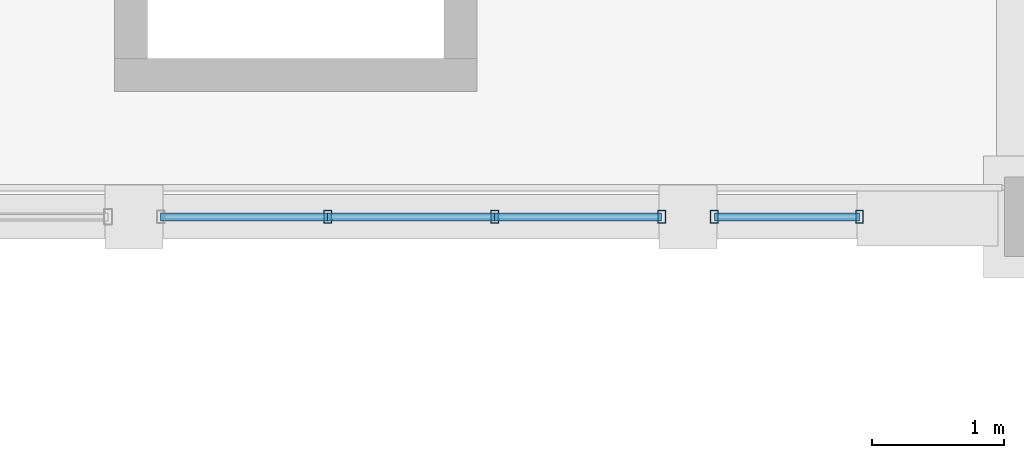
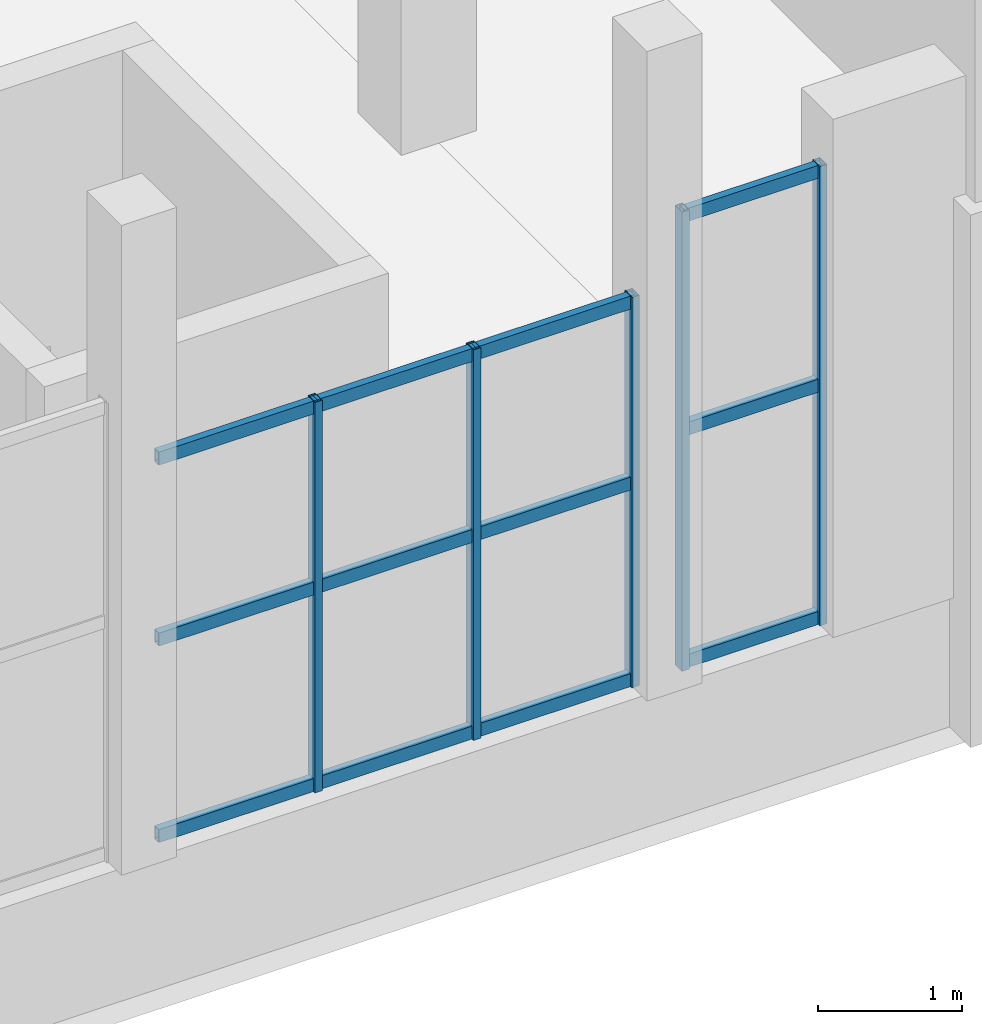
# One storey, part 3 of 46: 17 members, 2 elements without a shape of their own.
"""IFC4 building model written with IfcOpenShell, lengths in metres."""

from ifc_helpers import new_model, si_unit, direction, frame, origin, origin_2d, place, context, subcontext, project, spatial, hollow_rectangle, extrude, material, material_profile, profile_set, type_object, element, aggregate, save


model = new_model("IFC4")

# Units and contexts
model_context = context("Model", 3, precision=1e-05, world=origin(), true_north=direction((0.0, 1.0)))
body_context = subcontext(model_context, "Body", "Model", "MODEL_VIEW")
ifc_project = project(units=[si_unit("LENGTHUNIT", "METRE"), si_unit("AREAUNIT", "SQUARE_METRE"), si_unit("VOLUMEUNIT", "CUBIC_METRE"), si_unit("PLANEANGLEUNIT", "RADIAN"), si_unit("MASSUNIT", "GRAM", prefix="KILO")], contexts=[model_context])

# Site, building, storey
site_placement = place(None, origin())
site = spatial("IfcSite", under=ifc_project, at=site_placement, CompositionType="ELEMENT")
building_placement = place(site_placement, origin())
building = spatial("IfcBuilding", under=site, at=building_placement, Name="Mavantir Sound Aquarium", CompositionType="ELEMENT")
storey_placement = place(building_placement, frame((0.0, 0.0, 15.300048828125)))
storey = spatial("IfcBuildingStorey", under=building, at=storey_placement, Name="L03", CompositionType="ELEMENT", Elevation=15.300048828125)

# Curtain wall, members
ifc_material_1 = material(Name="Anodised Marine Aluminium and Low-E Glass", Category="aluminium")
curtain_wall_type_1 = type_object("IfcCurtainWallType", Name="CW-T04", PredefinedType="USERDEFINED", material=ifc_material_1)
curtain_wall_1_placement = place(storey_placement, origin())
curtain_wall_1 = element("IfcCurtainWall", 1, at=curtain_wall_1_placement, inside=storey, type_object=curtain_wall_type_1, Name="L03 unitised curtain wall CW-04 147", ObjectType="UNITISED GLAZING", PredefinedType="USERDEFINED")
ifc_material_2 = material(Name="Anodised Marine Aluminium 6063-T6", Category="aluminium")
ifc_material_profile_1 = material_profile(ifc_material_2, hollow_rectangle(XDim=0.06005859375, YDim=0.10009765625, WallThickness=0.00390625, at=origin_2d()), Name="ALU-MULLION-100X60")
ifc_profile_set_1 = profile_set([ifc_material_profile_1], Name="Anodised Marine Aluminium 6063-T6")
member_type_1 = type_object("IfcMemberType", Name="CW-MUL-100", PredefinedType="MULLION", material=ifc_profile_set_1)
member_1_placement = place(storey_placement, frame((121.7666015625, 40.800048828125, 1.119873046875), z_axis=(0.0, 0.0, 1.0), x_axis=(1.0, 0.0, 0.0)))
member_1 = element("IfcMember", 2, at=member_1_placement, type_object=member_type_1, Name="CW-DIOC-2S-C vertical mullion 2", PredefinedType="MULLION", context=body_context, shape_type="SweptSolid", body=[
    extrude(hollow_rectangle(XDim=0.06005859375, YDim=0.10009765625, WallThickness=0.00390625, at=origin_2d()), origin(), (0.0, 0.0, 1.0), 3.300048828125),
])
member_2_placement = place(storey_placement, frame((123.033203125, 40.800048828125, 1.119873046875), z_axis=(0.0, 0.0, 1.0), x_axis=(1.0, 0.0, 0.0)))
member_2 = element("IfcMember", 3, at=member_2_placement, type_object=member_type_1, Name="CW-DIOC-2S-C vertical mullion 3", PredefinedType="MULLION", context=body_context, shape_type="SweptSolid", body=[
    extrude(hollow_rectangle(XDim=0.06005859375, YDim=0.10009765625, WallThickness=0.00390625, at=origin_2d()), origin(), (0.0, 0.0, 1.0), 3.300048828125),
])
member_3_placement = place(storey_placement, frame((124.300048828125, 40.800048828125, 1.119873046875), z_axis=(0.0, 0.0, 1.0), x_axis=(1.0, 0.0, 0.0)))
member_3 = element("IfcMember", 4, at=member_3_placement, type_object=member_type_1, Name="CW-DIOC-2S-C vertical mullion 4", PredefinedType="MULLION", context=body_context, shape_type="SweptSolid", body=[
    extrude(hollow_rectangle(XDim=0.06005859375, YDim=0.10009765625, WallThickness=0.00390625, at=origin_2d()), origin(), (0.0, 0.0, 1.0), 3.300048828125),
])

curtain_wall_type_2 = type_object("IfcCurtainWallType", Name="CW-T06", PredefinedType="USERDEFINED", material=ifc_material_1)
curtain_wall_2_placement = place(storey_placement, origin())
curtain_wall_2 = element("IfcCurtainWall", 5, at=curtain_wall_2_placement, inside=storey, type_object=curtain_wall_type_2, Name="L03 unitised curtain wall CW-06 149", ObjectType="UNITISED GLAZING", PredefinedType="USERDEFINED")
member_4_placement = place(storey_placement, frame((124.699951171875, 40.800048828125, 1.119873046875), z_axis=(0.0, 0.0, 1.0), x_axis=(1.0, 0.0, 0.0)))
member_4 = element("IfcMember", 6, at=member_4_placement, type_object=member_type_1, Name="CW-DIOC-2S-R vertical mullion 1", PredefinedType="MULLION", context=body_context, shape_type="SweptSolid", body=[
    extrude(hollow_rectangle(XDim=0.06005859375, YDim=0.10009765625, WallThickness=0.00390625, at=origin_2d()), origin(), (0.0, 0.0, 1.0), 3.880126953125),
])
member_5_placement = place(storey_placement, frame((125.800048828125, 40.800048828125, 1.119873046875), z_axis=(0.0, 0.0, 1.0), x_axis=(1.0, 0.0, 0.0)))
member_5 = element("IfcMember", 7, at=member_5_placement, type_object=member_type_1, Name="CW-DIOC-2S-R vertical mullion 2", PredefinedType="MULLION", context=body_context, shape_type="SweptSolid", body=[
    extrude(hollow_rectangle(XDim=0.06005859375, YDim=0.10009765625, WallThickness=0.00390625, at=origin_2d()), origin(), (0.0, 0.0, 1.0), 3.880126953125),
])

# Member
ifc_material_profile_2 = material_profile(ifc_material_2, hollow_rectangle(XDim=0.06005859375, YDim=0.110107421875, WallThickness=0.00390625, at=origin_2d()), Name="ALU-TRANSOM-110X60")
ifc_profile_set_2 = profile_set([ifc_material_profile_2], Name="Anodised Marine Aluminium 6063-T6")
member_type_2 = type_object("IfcMemberType", Name="CW-TRN-110", PredefinedType="USERDEFINED", material=ifc_profile_set_2)
member_6_placement = place(storey_placement, frame((120.5, 40.800048828125, 1.175048828125), z_axis=(1.0, 0.0, 0.0), x_axis=(0.0, 1.0, 0.0)))
member_6 = element("IfcMember", 8, at=member_6_placement, type_object=member_type_2, Name="CW-DIOC-2S-C transom 1.1", ObjectType="TRANSOM", PredefinedType="USERDEFINED", context=body_context, shape_type="SweptSolid", body=[
    extrude(hollow_rectangle(XDim=0.06005859375, YDim=0.110107421875, WallThickness=0.00390625, at=origin_2d()), origin(), (0.0, 0.0, 1.0), 1.2666015625),
])

member_7_placement = place(storey_placement, frame((120.5, 40.800048828125, 2.8359375), z_axis=(1.0, 0.0, 0.0), x_axis=(0.0, 1.0, 0.0)))
member_7 = element("IfcMember", 9, at=member_7_placement, type_object=member_type_2, Name="CW-DIOC-2S-C transom 1.2", ObjectType="TRANSOM", PredefinedType="USERDEFINED", context=body_context, shape_type="SweptSolid", body=[
    extrude(hollow_rectangle(XDim=0.06005859375, YDim=0.110107421875, WallThickness=0.00390625, at=origin_2d()), origin(), (0.0, 0.0, 1.0), 1.2666015625),
])

member_8_placement = place(storey_placement, frame((120.5, 40.800048828125, 4.364990234375), z_axis=(1.0, 0.0, 0.0), x_axis=(0.0, 1.0, 0.0)))
member_8 = element("IfcMember", 10, at=member_8_placement, type_object=member_type_2, Name="CW-DIOC-2S-C transom 1.3", ObjectType="TRANSOM", PredefinedType="USERDEFINED", context=body_context, shape_type="SweptSolid", body=[
    extrude(hollow_rectangle(XDim=0.06005859375, YDim=0.110107421875, WallThickness=0.00390625, at=origin_2d()), origin(), (0.0, 0.0, 1.0), 1.2666015625),
])

member_9_placement = place(storey_placement, frame((121.7666015625, 40.800048828125, 1.175048828125), z_axis=(1.0, 0.0, 0.0), x_axis=(0.0, 1.0, 0.0)))
member_9 = element("IfcMember", 11, at=member_9_placement, type_object=member_type_2, Name="CW-DIOC-2S-C transom 2.1", ObjectType="TRANSOM", PredefinedType="USERDEFINED", context=body_context, shape_type="SweptSolid", body=[
    extrude(hollow_rectangle(XDim=0.06005859375, YDim=0.110107421875, WallThickness=0.00390625, at=origin_2d()), origin(), (0.0, 0.0, 1.0), 1.2666015625),
])

member_10_placement = place(storey_placement, frame((121.7666015625, 40.800048828125, 2.8359375), z_axis=(1.0, 0.0, 0.0), x_axis=(0.0, 1.0, 0.0)))
member_10 = element("IfcMember", 12, at=member_10_placement, type_object=member_type_2, Name="CW-DIOC-2S-C transom 2.2", ObjectType="TRANSOM", PredefinedType="USERDEFINED", context=body_context, shape_type="SweptSolid", body=[
    extrude(hollow_rectangle(XDim=0.06005859375, YDim=0.110107421875, WallThickness=0.00390625, at=origin_2d()), origin(), (0.0, 0.0, 1.0), 1.2666015625),
])

member_11_placement = place(storey_placement, frame((121.7666015625, 40.800048828125, 4.364990234375), z_axis=(1.0, 0.0, 0.0), x_axis=(0.0, 1.0, 0.0)))
member_11 = element("IfcMember", 13, at=member_11_placement, type_object=member_type_2, Name="CW-DIOC-2S-C transom 2.3", ObjectType="TRANSOM", PredefinedType="USERDEFINED", context=body_context, shape_type="SweptSolid", body=[
    extrude(hollow_rectangle(XDim=0.06005859375, YDim=0.110107421875, WallThickness=0.00390625, at=origin_2d()), origin(), (0.0, 0.0, 1.0), 1.2666015625),
])

member_12_placement = place(storey_placement, frame((123.033203125, 40.800048828125, 1.175048828125), z_axis=(1.0, 0.0, 0.0), x_axis=(0.0, 1.0, 0.0)))
member_12 = element("IfcMember", 14, at=member_12_placement, type_object=member_type_2, Name="CW-DIOC-2S-C transom 3.1", ObjectType="TRANSOM", PredefinedType="USERDEFINED", context=body_context, shape_type="SweptSolid", body=[
    extrude(hollow_rectangle(XDim=0.06005859375, YDim=0.110107421875, WallThickness=0.00390625, at=origin_2d()), origin(), (0.0, 0.0, 1.0), 1.266845703125),
])

member_13_placement = place(storey_placement, frame((123.033203125, 40.800048828125, 2.8359375), z_axis=(1.0, 0.0, 0.0), x_axis=(0.0, 1.0, 0.0)))
member_13 = element("IfcMember", 15, at=member_13_placement, type_object=member_type_2, Name="CW-DIOC-2S-C transom 3.2", ObjectType="TRANSOM", PredefinedType="USERDEFINED", context=body_context, shape_type="SweptSolid", body=[
    extrude(hollow_rectangle(XDim=0.06005859375, YDim=0.110107421875, WallThickness=0.00390625, at=origin_2d()), origin(), (0.0, 0.0, 1.0), 1.266845703125),
])

member_14_placement = place(storey_placement, frame((123.033203125, 40.800048828125, 4.364990234375), z_axis=(1.0, 0.0, 0.0), x_axis=(0.0, 1.0, 0.0)))
member_14 = element("IfcMember", 16, at=member_14_placement, type_object=member_type_2, Name="CW-DIOC-2S-C transom 3.3", ObjectType="TRANSOM", PredefinedType="USERDEFINED", context=body_context, shape_type="SweptSolid", body=[
    extrude(hollow_rectangle(XDim=0.06005859375, YDim=0.110107421875, WallThickness=0.00390625, at=origin_2d()), origin(), (0.0, 0.0, 1.0), 1.266845703125),
])

aggregate(curtain_wall_1, [member_1, member_2, member_3, member_6, member_7, member_8, member_9, member_10, member_11, member_12, member_13, member_14])

member_15_placement = place(storey_placement, frame((124.699951171875, 40.800048828125, 1.175048828125), z_axis=(1.0, 0.0, 0.0), x_axis=(0.0, 1.0, 0.0)))
member_15 = element("IfcMember", 17, at=member_15_placement, type_object=member_type_2, Name="CW-DIOC-2S-R transom 1.1", ObjectType="TRANSOM", PredefinedType="USERDEFINED", context=body_context, shape_type="SweptSolid", body=[
    extrude(hollow_rectangle(XDim=0.06005859375, YDim=0.110107421875, WallThickness=0.00390625, at=origin_2d()), origin(), (0.0, 0.0, 1.0), 1.10009765625),
])

member_16_placement = place(storey_placement, frame((124.699951171875, 40.800048828125, 3.137451171875), z_axis=(1.0, 0.0, 0.0), x_axis=(0.0, 1.0, 0.0)))
member_16 = element("IfcMember", 18, at=member_16_placement, type_object=member_type_2, Name="CW-DIOC-2S-R transom 1.2", ObjectType="TRANSOM", PredefinedType="USERDEFINED", context=body_context, shape_type="SweptSolid", body=[
    extrude(hollow_rectangle(XDim=0.06005859375, YDim=0.110107421875, WallThickness=0.00390625, at=origin_2d()), origin(), (0.0, 0.0, 1.0), 1.10009765625),
])

member_17_placement = place(storey_placement, frame((124.699951171875, 40.800048828125, 4.945068359375), z_axis=(1.0, 0.0, 0.0), x_axis=(0.0, 1.0, 0.0)))
member_17 = element("IfcMember", 19, at=member_17_placement, type_object=member_type_2, Name="CW-DIOC-2S-R transom 1.3", ObjectType="TRANSOM", PredefinedType="USERDEFINED", context=body_context, shape_type="SweptSolid", body=[
    extrude(hollow_rectangle(XDim=0.06005859375, YDim=0.110107421875, WallThickness=0.00390625, at=origin_2d()), origin(), (0.0, 0.0, 1.0), 1.10009765625),
])

aggregate(curtain_wall_2, [member_4, member_5, member_15, member_16, member_17])

save(model, "model.ifc")
